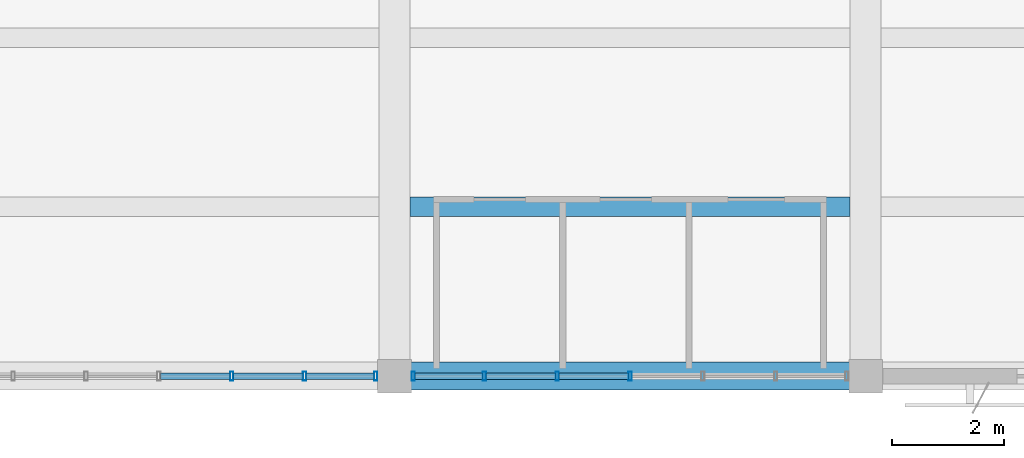
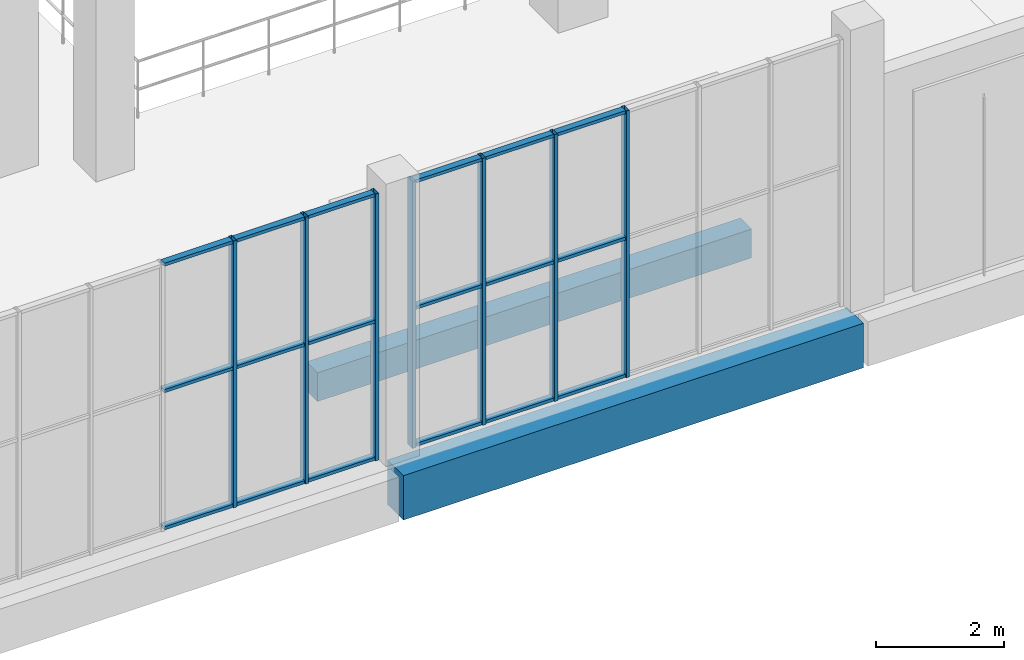
# One storey, part 26 of 132: 25 members, 2 beams, 2 elements without a shape of their own.
"""IFC4 building model written with IfcOpenShell, lengths in metres."""

from ifc_helpers import new_model, si_unit, direction, frame, origin, origin_2d, place, context, subcontext, project, spatial, rectangle, hollow_rectangle, extrude, material, material_profile, profile_set, type_object, element, aggregate, save


model = new_model("IFC4")

# Units and contexts
model_context = context("Model", 3, precision=1e-05, world=origin(), true_north=direction((0.0, 1.0)))
body_context = subcontext(model_context, "Body", "Model", "MODEL_VIEW")
ifc_project = project(units=[si_unit("LENGTHUNIT", "METRE"), si_unit("AREAUNIT", "SQUARE_METRE"), si_unit("VOLUMEUNIT", "CUBIC_METRE"), si_unit("PLANEANGLEUNIT", "RADIAN"), si_unit("MASSUNIT", "GRAM", prefix="KILO")], contexts=[model_context])

# Site, building, storey
site_placement = place(None, origin())
site = spatial("IfcSite", under=ifc_project, at=site_placement, CompositionType="ELEMENT")
building_placement = place(site_placement, origin())
building = spatial("IfcBuilding", under=site, at=building_placement, Name="Khurvash Pelagic Aquarium", CompositionType="ELEMENT")
storey_placement = place(building_placement, frame((0.0, 0.0, 5.39990234375)))
storey = spatial("IfcBuildingStorey", under=building, at=storey_placement, Name="L01", CompositionType="ELEMENT", Elevation=5.39990234375)

# Curtain wall, members
ifc_material_1 = material(Name="Anodised aluminium and low-E laminated glass", Category="aluminium")
curtain_wall_type = type_object("IfcCurtainWallType", Name="CW-05", PredefinedType="USERDEFINED", material=ifc_material_1)
curtain_wall_1_placement = place(storey_placement, origin())
curtain_wall_1 = element("IfcCurtainWall", 1, at=curtain_wall_1_placement, inside=storey, type_object=curtain_wall_type, Name="L01 Facade Unitised Curtain Wall CW-05 0104", ObjectType="UNITISED CURTAIN WALL", PredefinedType="USERDEFINED")
ifc_material_2 = material(Name="Extruded aluminium AW-6063-T6", Category="aluminium")
ifc_material_profile_1 = material_profile(ifc_material_2, hollow_rectangle(XDim=0.06005859375, YDim=0.159912109375, WallThickness=0.00390625, at=origin_2d()), Name="CWM60X160X4")
ifc_profile_set_1 = profile_set([ifc_material_profile_1], Name="Extruded aluminium AW-6063-T6")
member_type_1 = type_object("IfcMemberType", Name="CM-02", PredefinedType="MULLION", material=ifc_profile_set_1)
member_1_placement = place(storey_placement, frame((64.29833984375, 2.60009765625, 0.0), z_axis=(0.0, 0.0, 1.0), x_axis=(1.0, 0.0, 0.0)))
member_1 = element("IfcMember", 2, at=member_1_placement, type_object=member_type_1, Name="CW-05 mullion 5", PredefinedType="MULLION", context=body_context, shape_type="SweptSolid", body=[
    extrude(hollow_rectangle(XDim=0.06005859375, YDim=0.159912109375, WallThickness=0.00390625, at=origin_2d()), origin(), (0.0, 0.0, 1.0), 5.10009765625),
])
member_2_placement = place(storey_placement, frame((65.5966796875, 2.60009765625, 0.0), z_axis=(0.0, 0.0, 1.0), x_axis=(1.0, 0.0, 0.0)))
member_2 = element("IfcMember", 3, at=member_2_placement, type_object=member_type_1, Name="CW-05 mullion 6", PredefinedType="MULLION", context=body_context, shape_type="SweptSolid", body=[
    extrude(hollow_rectangle(XDim=0.06005859375, YDim=0.159912109375, WallThickness=0.00390625, at=origin_2d()), origin(), (0.0, 0.0, 1.0), 5.10009765625),
])
member_3_placement = place(storey_placement, frame((66.864990234375, 2.60009765625, 0.0), z_axis=(0.0, 0.0, 1.0), x_axis=(1.0, 0.0, 0.0)))
member_3 = element("IfcMember", 4, at=member_3_placement, type_object=member_type_1, Name="CW-05 mullion 7", PredefinedType="MULLION", context=body_context, shape_type="SweptSolid", body=[
    extrude(hollow_rectangle(XDim=0.06005859375, YDim=0.159912109375, WallThickness=0.00390625, at=origin_2d()), origin(), (0.0, 0.0, 1.0), 5.10009765625),
])

curtain_wall_2_placement = place(storey_placement, origin())
curtain_wall_2 = element("IfcCurtainWall", 5, at=curtain_wall_2_placement, inside=storey, type_object=curtain_wall_type, Name="L01 Facade Unitised Curtain Wall CW-05 0105", ObjectType="UNITISED CURTAIN WALL", PredefinedType="USERDEFINED")
member_4_placement = place(storey_placement, frame((67.534912109375, 2.60009765625, 0.0), z_axis=(0.0, 0.0, 1.0), x_axis=(1.0, 0.0, 0.0)))
member_4 = element("IfcMember", 6, at=member_4_placement, type_object=member_type_1, Name="CW-05 mullion 1", PredefinedType="MULLION", context=body_context, shape_type="SweptSolid", body=[
    extrude(hollow_rectangle(XDim=0.06005859375, YDim=0.159912109375, WallThickness=0.00390625, at=origin_2d()), origin(), (0.0, 0.0, 1.0), 5.10009765625),
])
member_5_placement = place(storey_placement, frame((68.80322265625, 2.60009765625, 0.0), z_axis=(0.0, 0.0, 1.0), x_axis=(1.0, 0.0, 0.0)))
member_5 = element("IfcMember", 7, at=member_5_placement, type_object=member_type_1, Name="CW-05 mullion 2", PredefinedType="MULLION", context=body_context, shape_type="SweptSolid", body=[
    extrude(hollow_rectangle(XDim=0.06005859375, YDim=0.159912109375, WallThickness=0.00390625, at=origin_2d()), origin(), (0.0, 0.0, 1.0), 5.10009765625),
])
member_6_placement = place(storey_placement, frame((70.1015625, 2.60009765625, 0.0), z_axis=(0.0, 0.0, 1.0), x_axis=(1.0, 0.0, 0.0)))
member_6 = element("IfcMember", 8, at=member_6_placement, type_object=member_type_1, Name="CW-05 mullion 3", PredefinedType="MULLION", context=body_context, shape_type="SweptSolid", body=[
    extrude(hollow_rectangle(XDim=0.06005859375, YDim=0.159912109375, WallThickness=0.00390625, at=origin_2d()), origin(), (0.0, 0.0, 1.0), 5.10009765625),
])
member_7_placement = place(storey_placement, frame((71.39990234375, 2.60009765625, 0.0), z_axis=(0.0, 0.0, 1.0), x_axis=(1.0, 0.0, 0.0)))
member_7 = element("IfcMember", 9, at=member_7_placement, type_object=member_type_1, Name="CW-05 mullion 4", PredefinedType="MULLION", context=body_context, shape_type="SweptSolid", body=[
    extrude(hollow_rectangle(XDim=0.06005859375, YDim=0.159912109375, WallThickness=0.00390625, at=origin_2d()), origin(), (0.0, 0.0, 1.0), 5.10009765625),
])

# Member
ifc_material_profile_2 = material_profile(ifc_material_2, hollow_rectangle(XDim=0.1201171875, YDim=0.06005859375, WallThickness=0.00390625, at=origin_2d()), Name="CWT120X60X4")
ifc_profile_set_2 = profile_set([ifc_material_profile_2], Name="Extruded aluminium AW-6063-T6")
member_type_2 = type_object("IfcMemberType", Name="CT-02", PredefinedType="USERDEFINED", material=ifc_profile_set_2)
member_8_placement = place(storey_placement, frame((63.030029296875, 2.60009765625, 0.030029296875), z_axis=(1.0, 0.0, 0.0), x_axis=(0.0, 1.0, 0.0)))
member_8 = element("IfcMember", 10, at=member_8_placement, type_object=member_type_2, Name="CW-05 transom 4.1", ObjectType="TRANSOM", PredefinedType="USERDEFINED", context=body_context, shape_type="SweptSolid", body=[
    extrude(hollow_rectangle(XDim=0.1201171875, YDim=0.06005859375, WallThickness=0.00390625, at=origin_2d()), origin(), (0.0, 0.0, 1.0), 1.23828125),
])

member_9_placement = place(storey_placement, frame((63.030029296875, 2.60009765625, 2.652099609375), z_axis=(1.0, 0.0, 0.0), x_axis=(0.0, 1.0, 0.0)))
member_9 = element("IfcMember", 11, at=member_9_placement, type_object=member_type_2, Name="CW-05 transom 4.2", ObjectType="TRANSOM", PredefinedType="USERDEFINED", context=body_context, shape_type="SweptSolid", body=[
    extrude(hollow_rectangle(XDim=0.1201171875, YDim=0.06005859375, WallThickness=0.00390625, at=origin_2d()), origin(), (0.0, 0.0, 1.0), 1.23828125),
])

member_10_placement = place(storey_placement, frame((63.030029296875, 2.60009765625, 5.070068359375), z_axis=(1.0, 0.0, 0.0), x_axis=(0.0, 1.0, 0.0)))
member_10 = element("IfcMember", 12, at=member_10_placement, type_object=member_type_2, Name="CW-05 transom 4.3", ObjectType="TRANSOM", PredefinedType="USERDEFINED", context=body_context, shape_type="SweptSolid", body=[
    extrude(hollow_rectangle(XDim=0.1201171875, YDim=0.06005859375, WallThickness=0.00390625, at=origin_2d()), origin(), (0.0, 0.0, 1.0), 1.23828125),
])

member_11_placement = place(storey_placement, frame((64.328369140625, 2.60009765625, 0.030029296875), z_axis=(1.0, 0.0, 0.0), x_axis=(0.0, 1.0, 0.0)))
member_11 = element("IfcMember", 13, at=member_11_placement, type_object=member_type_2, Name="CW-05 transom 5.1", ObjectType="TRANSOM", PredefinedType="USERDEFINED", context=body_context, shape_type="SweptSolid", body=[
    extrude(hollow_rectangle(XDim=0.1201171875, YDim=0.06005859375, WallThickness=0.00390625, at=origin_2d()), origin(), (0.0, 0.0, 1.0), 1.23828125),
])

member_12_placement = place(storey_placement, frame((64.328369140625, 2.60009765625, 2.652099609375), z_axis=(1.0, 0.0, 0.0), x_axis=(0.0, 1.0, 0.0)))
member_12 = element("IfcMember", 14, at=member_12_placement, type_object=member_type_2, Name="CW-05 transom 5.2", ObjectType="TRANSOM", PredefinedType="USERDEFINED", context=body_context, shape_type="SweptSolid", body=[
    extrude(hollow_rectangle(XDim=0.1201171875, YDim=0.06005859375, WallThickness=0.00390625, at=origin_2d()), origin(), (0.0, 0.0, 1.0), 1.23828125),
])

member_13_placement = place(storey_placement, frame((64.328369140625, 2.60009765625, 5.070068359375), z_axis=(1.0, 0.0, 0.0), x_axis=(0.0, 1.0, 0.0)))
member_13 = element("IfcMember", 15, at=member_13_placement, type_object=member_type_2, Name="CW-05 transom 5.3", ObjectType="TRANSOM", PredefinedType="USERDEFINED", context=body_context, shape_type="SweptSolid", body=[
    extrude(hollow_rectangle(XDim=0.1201171875, YDim=0.06005859375, WallThickness=0.00390625, at=origin_2d()), origin(), (0.0, 0.0, 1.0), 1.23828125),
])

member_14_placement = place(storey_placement, frame((65.626708984375, 2.60009765625, 0.030029296875), z_axis=(1.0, 0.0, 0.0), x_axis=(0.0, 1.0, 0.0)))
member_14 = element("IfcMember", 16, at=member_14_placement, type_object=member_type_2, Name="CW-05 transom 6.1", ObjectType="TRANSOM", PredefinedType="USERDEFINED", context=body_context, shape_type="SweptSolid", body=[
    extrude(hollow_rectangle(XDim=0.1201171875, YDim=0.06005859375, WallThickness=0.00390625, at=origin_2d()), origin(), (0.0, 0.0, 1.0), 1.208251953125),
])

member_15_placement = place(storey_placement, frame((65.626708984375, 2.60009765625, 2.652099609375), z_axis=(1.0, 0.0, 0.0), x_axis=(0.0, 1.0, 0.0)))
member_15 = element("IfcMember", 17, at=member_15_placement, type_object=member_type_2, Name="CW-05 transom 6.2", ObjectType="TRANSOM", PredefinedType="USERDEFINED", context=body_context, shape_type="SweptSolid", body=[
    extrude(hollow_rectangle(XDim=0.1201171875, YDim=0.06005859375, WallThickness=0.00390625, at=origin_2d()), origin(), (0.0, 0.0, 1.0), 1.208251953125),
])

member_16_placement = place(storey_placement, frame((65.626708984375, 2.60009765625, 5.070068359375), z_axis=(1.0, 0.0, 0.0), x_axis=(0.0, 1.0, 0.0)))
member_16 = element("IfcMember", 18, at=member_16_placement, type_object=member_type_2, Name="CW-05 transom 6.3", ObjectType="TRANSOM", PredefinedType="USERDEFINED", context=body_context, shape_type="SweptSolid", body=[
    extrude(hollow_rectangle(XDim=0.1201171875, YDim=0.06005859375, WallThickness=0.00390625, at=origin_2d()), origin(), (0.0, 0.0, 1.0), 1.208251953125),
])

aggregate(curtain_wall_1, [member_1, member_2, member_3, member_8, member_9, member_10, member_11, member_12, member_13, member_14, member_15, member_16])

member_17_placement = place(storey_placement, frame((67.56494140625, 2.60009765625, 0.030029296875), z_axis=(1.0, 0.0, 0.0), x_axis=(0.0, 1.0, 0.0)))
member_17 = element("IfcMember", 19, at=member_17_placement, type_object=member_type_2, Name="CW-05 transom 1.1", ObjectType="TRANSOM", PredefinedType="USERDEFINED", context=body_context, shape_type="SweptSolid", body=[
    extrude(hollow_rectangle(XDim=0.1201171875, YDim=0.06005859375, WallThickness=0.00390625, at=origin_2d()), origin(), (0.0, 0.0, 1.0), 1.20849609375),
])

member_18_placement = place(storey_placement, frame((67.56494140625, 2.60009765625, 2.652099609375), z_axis=(1.0, 0.0, 0.0), x_axis=(0.0, 1.0, 0.0)))
member_18 = element("IfcMember", 20, at=member_18_placement, type_object=member_type_2, Name="CW-05 transom 1.2", ObjectType="TRANSOM", PredefinedType="USERDEFINED", context=body_context, shape_type="SweptSolid", body=[
    extrude(hollow_rectangle(XDim=0.1201171875, YDim=0.06005859375, WallThickness=0.00390625, at=origin_2d()), origin(), (0.0, 0.0, 1.0), 1.20849609375),
])

member_19_placement = place(storey_placement, frame((67.56494140625, 2.60009765625, 5.070068359375), z_axis=(1.0, 0.0, 0.0), x_axis=(0.0, 1.0, 0.0)))
member_19 = element("IfcMember", 21, at=member_19_placement, type_object=member_type_2, Name="CW-05 transom 1.3", ObjectType="TRANSOM", PredefinedType="USERDEFINED", context=body_context, shape_type="SweptSolid", body=[
    extrude(hollow_rectangle(XDim=0.1201171875, YDim=0.06005859375, WallThickness=0.00390625, at=origin_2d()), origin(), (0.0, 0.0, 1.0), 1.20849609375),
])

member_20_placement = place(storey_placement, frame((68.833251953125, 2.60009765625, 0.030029296875), z_axis=(1.0, 0.0, 0.0), x_axis=(0.0, 1.0, 0.0)))
member_20 = element("IfcMember", 22, at=member_20_placement, type_object=member_type_2, Name="CW-05 transom 2.1", ObjectType="TRANSOM", PredefinedType="USERDEFINED", context=body_context, shape_type="SweptSolid", body=[
    extrude(hollow_rectangle(XDim=0.1201171875, YDim=0.06005859375, WallThickness=0.00390625, at=origin_2d()), origin(), (0.0, 0.0, 1.0), 1.238525390625),
])

member_21_placement = place(storey_placement, frame((68.833251953125, 2.60009765625, 2.652099609375), z_axis=(1.0, 0.0, 0.0), x_axis=(0.0, 1.0, 0.0)))
member_21 = element("IfcMember", 23, at=member_21_placement, type_object=member_type_2, Name="CW-05 transom 2.2", ObjectType="TRANSOM", PredefinedType="USERDEFINED", context=body_context, shape_type="SweptSolid", body=[
    extrude(hollow_rectangle(XDim=0.1201171875, YDim=0.06005859375, WallThickness=0.00390625, at=origin_2d()), origin(), (0.0, 0.0, 1.0), 1.238525390625),
])

member_22_placement = place(storey_placement, frame((68.833251953125, 2.60009765625, 5.070068359375), z_axis=(1.0, 0.0, 0.0), x_axis=(0.0, 1.0, 0.0)))
member_22 = element("IfcMember", 24, at=member_22_placement, type_object=member_type_2, Name="CW-05 transom 2.3", ObjectType="TRANSOM", PredefinedType="USERDEFINED", context=body_context, shape_type="SweptSolid", body=[
    extrude(hollow_rectangle(XDim=0.1201171875, YDim=0.06005859375, WallThickness=0.00390625, at=origin_2d()), origin(), (0.0, 0.0, 1.0), 1.238525390625),
])

member_23_placement = place(storey_placement, frame((70.131591796875, 2.60009765625, 0.030029296875), z_axis=(1.0, 0.0, 0.0), x_axis=(0.0, 1.0, 0.0)))
member_23 = element("IfcMember", 25, at=member_23_placement, type_object=member_type_2, Name="CW-05 transom 3.1", ObjectType="TRANSOM", PredefinedType="USERDEFINED", context=body_context, shape_type="SweptSolid", body=[
    extrude(hollow_rectangle(XDim=0.1201171875, YDim=0.06005859375, WallThickness=0.00390625, at=origin_2d()), origin(), (0.0, 0.0, 1.0), 1.238525390625),
])

member_24_placement = place(storey_placement, frame((70.131591796875, 2.60009765625, 2.652099609375), z_axis=(1.0, 0.0, 0.0), x_axis=(0.0, 1.0, 0.0)))
member_24 = element("IfcMember", 26, at=member_24_placement, type_object=member_type_2, Name="CW-05 transom 3.2", ObjectType="TRANSOM", PredefinedType="USERDEFINED", context=body_context, shape_type="SweptSolid", body=[
    extrude(hollow_rectangle(XDim=0.1201171875, YDim=0.06005859375, WallThickness=0.00390625, at=origin_2d()), origin(), (0.0, 0.0, 1.0), 1.238525390625),
])

member_25_placement = place(storey_placement, frame((70.131591796875, 2.60009765625, 5.070068359375), z_axis=(1.0, 0.0, 0.0), x_axis=(0.0, 1.0, 0.0)))
member_25 = element("IfcMember", 27, at=member_25_placement, type_object=member_type_2, Name="CW-05 transom 3.3", ObjectType="TRANSOM", PredefinedType="USERDEFINED", context=body_context, shape_type="SweptSolid", body=[
    extrude(hollow_rectangle(XDim=0.1201171875, YDim=0.06005859375, WallThickness=0.00390625, at=origin_2d()), origin(), (0.0, 0.0, 1.0), 1.238525390625),
])

aggregate(curtain_wall_2, [member_4, member_5, member_6, member_7, member_17, member_18, member_19, member_20, member_21, member_22, member_23, member_24, member_25])

# Beams
ifc_material_3 = material(Name="Concrete C35/45", Category="concrete")
ifc_material_profile_3 = material_profile(ifc_material_3, rectangle(XDim=0.35009765625, YDim=0.550048828125, at=origin_2d()), Name="RC350X550")
ifc_profile_set_3 = profile_set([ifc_material_profile_3], Name="Concrete C35/45")
beam_type_1 = type_object("IfcBeamType", Name="JS-01", PredefinedType="JOIST", material=ifc_profile_set_3)
beam_1_placement = place(storey_placement, frame((67.47509765625, 5.616943359375, -0.5849609375), z_axis=(1.0, 0.0, 0.0), x_axis=(0.0, 1.0, 0.0)))
element("IfcBeam", 28, at=beam_1_placement, inside=storey, type_object=beam_type_1, Name="L01 Floor Joist JS-01 00508", PredefinedType="JOIST", context=body_context, shape_type="SweptSolid", body=[
    extrude(rectangle(XDim=0.35009765625, YDim=0.550048828125, at=origin_2d()), origin(), (0.0, 0.0, 1.0), 7.849853515625),
])
ifc_material_4 = material(Name="Concrete C40/50", Category="concrete")
ifc_material_profile_4 = material_profile(ifc_material_4, rectangle(XDim=0.5, YDim=0.85009765625, at=origin_2d()), Name="RC500X850")
ifc_profile_set_4 = profile_set([ifc_material_profile_4], Name="Concrete C40/50")
beam_type_2 = type_object("IfcBeamType", Name="SEB-03", PredefinedType="SPANDREL", material=ifc_profile_set_4)
beam_2_placement = place(storey_placement, frame((67.239990234375, 2.60009765625, -0.744873046875), z_axis=(1.0, 0.0, 0.0), x_axis=(0.0, 1.0, 0.0)))
element("IfcBeam", 29, at=beam_2_placement, inside=storey, type_object=beam_type_2, Name="L01 Primary Girder SEB-03 00246", PredefinedType="SPANDREL", context=body_context, shape_type="SweptSolid", body=[
    extrude(rectangle(XDim=0.5, YDim=0.85009765625, at=origin_2d()), origin(), (0.0, 0.0, 1.0), 8.320068359375),
])

save(model, "model.ifc")
